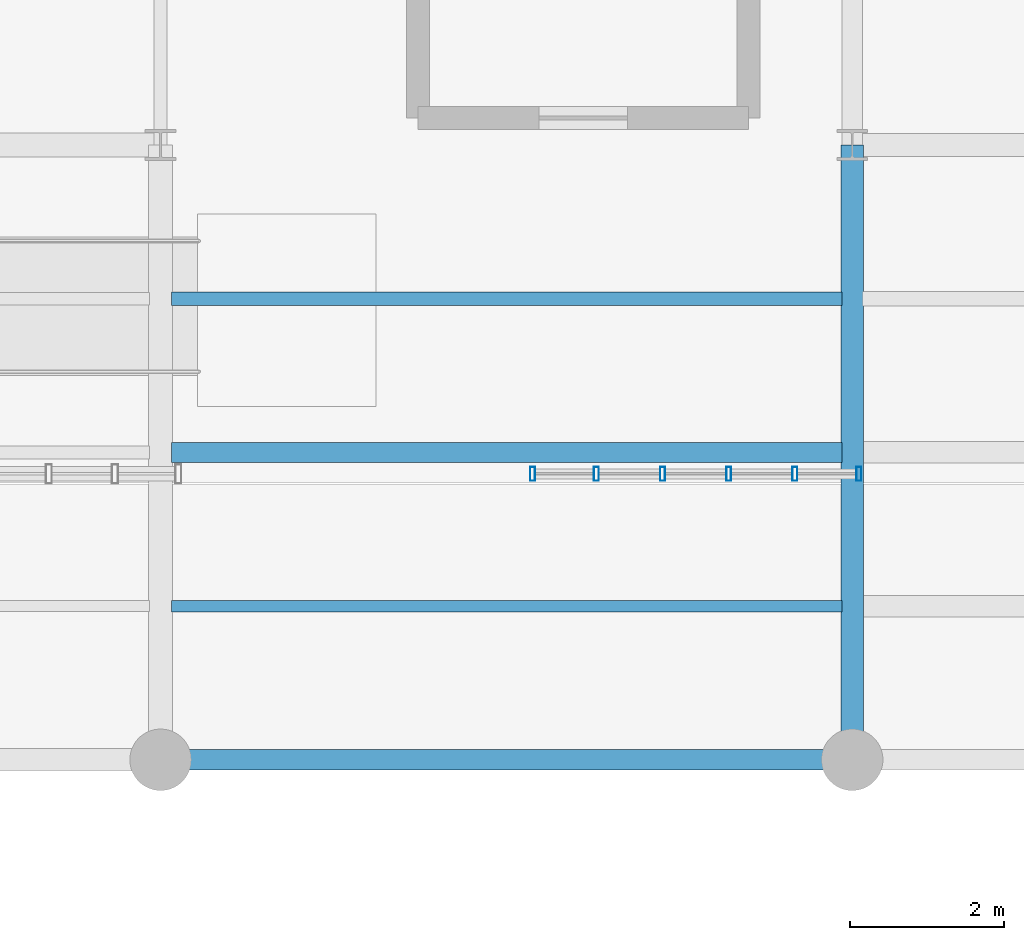
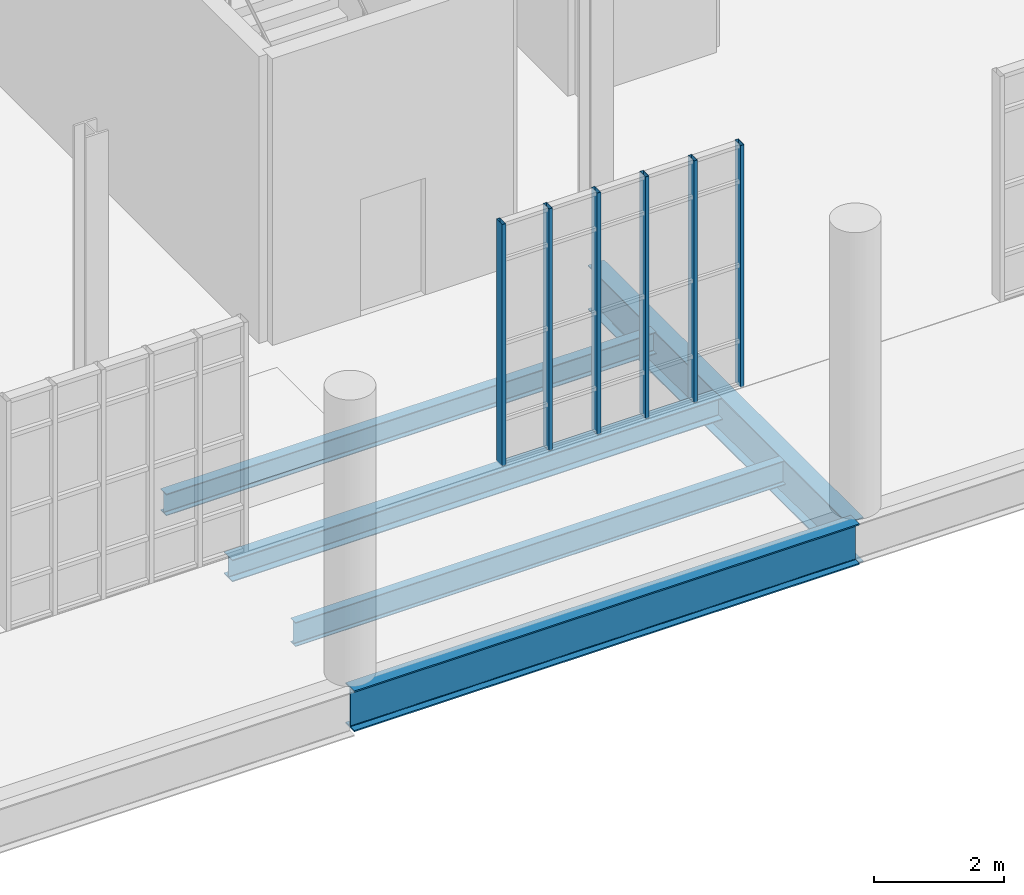
# One storey, part 51 of 189: 6 members, 5 beams, 1 element without a shape of its own.
"""IFC4 building model written with IfcOpenShell, lengths in metres."""

from ifc_helpers import new_model, si_unit, direction, frame, origin, origin_2d, place, context, subcontext, project, spatial, hollow_rectangle, i_section, extrude, material, layer, layer_set, material_profile, profile_set, type_object, element, aggregate, save


model = new_model("IFC4")

# Units and contexts
model_context = context("Model", 3, precision=1e-05, world=origin(), true_north=direction((0.0, 1.0)))
body_context = subcontext(model_context, "Body", "Model", "MODEL_VIEW")
ifc_project = project(units=[si_unit("LENGTHUNIT", "METRE"), si_unit("AREAUNIT", "SQUARE_METRE"), si_unit("VOLUMEUNIT", "CUBIC_METRE"), si_unit("PLANEANGLEUNIT", "RADIAN"), si_unit("MASSUNIT", "GRAM", prefix="KILO"), si_unit("THERMODYNAMICTEMPERATUREUNIT", "KELVIN"), si_unit("POWERUNIT", "WATT")], contexts=[model_context])

# Site, building, storey
site_placement = place(None, origin())
site = spatial("IfcSite", under=ifc_project, at=site_placement, CompositionType="ELEMENT")
building_placement = place(site_placement, origin())
building = spatial("IfcBuilding", under=site, at=building_placement, Name="Zelmaris Science Centre", CompositionType="ELEMENT")
storey_placement = place(building_placement, origin())
storey = spatial("IfcBuildingStorey", under=building, at=storey_placement, Name="L00", CompositionType="ELEMENT", Elevation=0.0)

# Curtain wall, members
ifc_material_1 = material(Name="Anodised architectural aluminium 6063-T6", Category="aluminium")
ifc_layer = layer(ifc_material_1, 0.2099609375, Name="Anodised architectural aluminium 6063-T6")
ifc_layer_set = layer_set([ifc_layer], Name="Anodised architectural aluminium 6063-T6")
curtain_wall_type = type_object("IfcCurtainWallType", Name="Curtain Wall CW-03", PredefinedType="USERDEFINED", material=ifc_layer_set)
curtain_wall_placement = place(storey_placement, origin())
curtain_wall = element("IfcCurtainWall", 1, at=curtain_wall_placement, inside=storey, type_object=curtain_wall_type, Name="L00 Unitised curtain wall 107", ObjectType="GLAZED CURTAIN WALL", PredefinedType="USERDEFINED")
ifc_material_profile_1 = material_profile(ifc_material_1, hollow_rectangle(XDim=0.06494140625, YDim=0.179931640625, WallThickness=0.00390625, at=origin_2d()), Name="ALU-MUL-65X180")
ifc_profile_set_1 = profile_set([ifc_material_profile_1], Name="Anodised architectural aluminium 6063-T6")
member_type = type_object("IfcMemberType", Name="ALU-MUL-65X180", PredefinedType="MULLION", material=ifc_profile_set_1)
member_1_placement = place(storey_placement, frame((126.08642578125, 11.72021484375, -0.014892578125), z_axis=(0.0, 0.0, 1.0), x_axis=(-1.0, 0.0, 0.0)))
member_1 = element("IfcMember", 2, at=member_1_placement, type_object=member_type, Name="CW-03 mullion 1", PredefinedType="MULLION", context=body_context, shape_type="SweptSolid", body=[
    extrude(hollow_rectangle(XDim=0.06494140625, YDim=0.179931640625, WallThickness=0.00390625, at=origin_2d()), origin(), (0.0, 0.0, 1.0), 4.553955078125),
])
member_2_placement = place(storey_placement, frame((125.254150390625, 11.72021484375, -0.014892578125), z_axis=(0.0, 0.0, 1.0), x_axis=(-1.0, 0.0, 0.0)))
member_2 = element("IfcMember", 3, at=member_2_placement, type_object=member_type, Name="CW-03 mullion 2", PredefinedType="MULLION", context=body_context, shape_type="SweptSolid", body=[
    extrude(hollow_rectangle(XDim=0.06494140625, YDim=0.179931640625, WallThickness=0.00390625, at=origin_2d()), origin(), (0.0, 0.0, 1.0), 4.553955078125),
])
member_3_placement = place(storey_placement, frame((124.3935546875, 11.72021484375, -0.014892578125), z_axis=(0.0, 0.0, 1.0), x_axis=(-1.0, 0.0, 0.0)))
member_3 = element("IfcMember", 4, at=member_3_placement, type_object=member_type, Name="CW-03 mullion 3", PredefinedType="MULLION", context=body_context, shape_type="SweptSolid", body=[
    extrude(hollow_rectangle(XDim=0.06494140625, YDim=0.179931640625, WallThickness=0.00390625, at=origin_2d()), origin(), (0.0, 0.0, 1.0), 4.553955078125),
])
member_4_placement = place(storey_placement, frame((123.53271484375, 11.72021484375, -0.014892578125), z_axis=(0.0, 0.0, 1.0), x_axis=(-1.0, 0.0, 0.0)))
member_4 = element("IfcMember", 5, at=member_4_placement, type_object=member_type, Name="CW-03 mullion 4", PredefinedType="MULLION", context=body_context, shape_type="SweptSolid", body=[
    extrude(hollow_rectangle(XDim=0.06494140625, YDim=0.179931640625, WallThickness=0.00390625, at=origin_2d()), origin(), (0.0, 0.0, 1.0), 4.553955078125),
])
member_5_placement = place(storey_placement, frame((122.672119140625, 11.72021484375, -0.014892578125), z_axis=(0.0, 0.0, 1.0), x_axis=(-1.0, 0.0, 0.0)))
member_5 = element("IfcMember", 6, at=member_5_placement, type_object=member_type, Name="CW-03 mullion 5", PredefinedType="MULLION", context=body_context, shape_type="SweptSolid", body=[
    extrude(hollow_rectangle(XDim=0.06494140625, YDim=0.179931640625, WallThickness=0.00390625, at=origin_2d()), origin(), (0.0, 0.0, 1.0), 4.553955078125),
])
member_6_placement = place(storey_placement, frame((121.83984375, 11.72021484375, -0.014892578125), z_axis=(0.0, 0.0, 1.0), x_axis=(-1.0, 0.0, 0.0)))
member_6 = element("IfcMember", 7, at=member_6_placement, type_object=member_type, Name="CW-03 mullion 6", PredefinedType="MULLION", context=body_context, shape_type="SweptSolid", body=[
    extrude(hollow_rectangle(XDim=0.06494140625, YDim=0.179931640625, WallThickness=0.00390625, at=origin_2d()), origin(), (0.0, 0.0, 1.0), 4.553955078125),
])
aggregate(curtain_wall, [member_1, member_2, member_3, member_4, member_5, member_6])

# Beams
ifc_material_2 = material(Name="Steel ASTM A992 Grade 50", Category="steel")
ifc_material_profile_2 = material_profile(ifc_material_2, i_section(OverallWidth=0.2919921875, OverallDepth=0.841064453125, WebThickness=0.0146484375, FlangeThickness=0.021728515625, FilletRadius=0.02001953125, at=origin_2d()), Name="W33X130")
ifc_profile_set_2 = profile_set([ifc_material_profile_2], Name="Steel ASTM A992 Grade 50")
beam_type_1 = type_object("IfcBeamType", Name="Beam G-07 W33X130", PredefinedType="BEAM", material=ifc_profile_set_2)
beam_1_placement = place(storey_placement, frame((126.0, 8.0, -0.71044921875), z_axis=(0.0, 1.0, 0.0), x_axis=(-1.0, 0.0, 0.0)))
element("IfcBeam", 8, at=beam_1_placement, inside=storey, type_object=beam_type_1, Name="L00 North-south girder 65", PredefinedType="BEAM", context=body_context, shape_type="SweptSolid", body=[
    extrude(i_section(OverallWidth=0.2919921875, OverallDepth=0.841064453125, WebThickness=0.0146484375, FlangeThickness=0.021728515625, FilletRadius=0.02001953125, at=origin_2d()), origin(), (0.0, 0.0, 1.0), 8.0),
])
ifc_material_profile_3 = material_profile(ifc_material_2, i_section(OverallWidth=0.26708984375, OverallDepth=0.77001953125, WebThickness=0.015625, FlangeThickness=0.025390625, FilletRadius=0.01904296875, at=origin_2d()), Name="W30X132")
ifc_profile_set_3 = profile_set([ifc_material_profile_3], Name="Steel ASTM A992 Grade 50")
beam_type_2 = type_object("IfcBeamType", Name="Beam G-09 W30X132", PredefinedType="BEAM", material=ifc_profile_set_3)
beam_2_placement = place(storey_placement, frame((117.0, 8.0, -0.6650390625), z_axis=(1.0, 0.0, 0.0), x_axis=(0.0, 1.0, 0.0)))
element("IfcBeam", 9, at=beam_2_placement, inside=storey, type_object=beam_type_2, Name="L00 East-west girder 97", PredefinedType="BEAM", context=body_context, shape_type="SweptSolid", body=[
    extrude(i_section(OverallWidth=0.26708984375, OverallDepth=0.77001953125, WebThickness=0.015625, FlangeThickness=0.025390625, FilletRadius=0.01904296875, at=origin_2d()), origin(), (0.0, 0.0, 1.0), 9.0),
])
ifc_material_profile_4 = material_profile(ifc_material_2, i_section(OverallWidth=0.152099609375, OverallDepth=0.455078125, WebThickness=0.008056640625, FlangeThickness=0.01318359375, FilletRadius=0.012939453125, at=origin_2d()), Name="W18X40")
ifc_profile_set_4 = profile_set([ifc_material_profile_4], Name="Steel ASTM A992 Grade 50")
beam_type_3 = type_object("IfcBeamType", Name="Beam J-05 W18X40", PredefinedType="JOIST", material=ifc_profile_set_4)
beam_3_placement = place(storey_placement, frame((117.14111328125, 10.0, -0.517578125), z_axis=(1.0, 0.0, 0.0), x_axis=(0.0, 1.0, 0.0)))
element("IfcBeam", 10, at=beam_3_placement, inside=storey, type_object=beam_type_3, Name="L00 Composite floor joist 76", PredefinedType="JOIST", context=body_context, shape_type="SweptSolid", body=[
    extrude(i_section(OverallWidth=0.152099609375, OverallDepth=0.455078125, WebThickness=0.008056640625, FlangeThickness=0.01318359375, FilletRadius=0.012939453125, at=origin_2d()), origin(), (0.0, 0.0, 1.0), 8.727783203125),
])
ifc_material_profile_5 = material_profile(ifc_material_2, i_section(OverallWidth=0.260009765625, OverallDepth=0.4140625, WebThickness=0.010009765625, FlangeThickness=0.016845703125, FilletRadius=0.011962890625, at=origin_2d()), Name="W16X67")
ifc_profile_set_5 = profile_set([ifc_material_profile_5], Name="Steel ASTM A992 Grade 50")
beam_type_4 = type_object("IfcBeamType", Name="Beam J-06 W16X67", PredefinedType="JOIST", material=ifc_profile_set_5)
beam_4_placement = place(storey_placement, frame((117.14111328125, 12.0, -0.4970703125), z_axis=(1.0, 0.0, 0.0), x_axis=(0.0, 1.0, 0.0)))
element("IfcBeam", 11, at=beam_4_placement, inside=storey, type_object=beam_type_4, Name="L00 Composite floor joist 77", PredefinedType="JOIST", context=body_context, shape_type="SweptSolid", body=[
    extrude(i_section(OverallWidth=0.260009765625, OverallDepth=0.4140625, WebThickness=0.010009765625, FlangeThickness=0.016845703125, FilletRadius=0.011962890625, at=origin_2d()), origin(), (0.0, 0.0, 1.0), 8.727783203125),
])
ifc_material_profile_6 = material_profile(ifc_material_2, i_section(OverallWidth=0.177978515625, OverallDepth=0.408935546875, WebThickness=0.0087890625, FlangeThickness=0.014404296875, FilletRadius=0.011962890625, at=origin_2d()), Name="W16X45")
ifc_profile_set_6 = profile_set([ifc_material_profile_6], Name="Steel ASTM A992 Grade 50")
beam_type_5 = type_object("IfcBeamType", Name="Beam J-07 W16X45", PredefinedType="JOIST", material=ifc_profile_set_6)
beam_5_placement = place(storey_placement, frame((117.14111328125, 14.0, -0.494384765625), z_axis=(1.0, 0.0, 0.0), x_axis=(0.0, 1.0, 0.0)))
element("IfcBeam", 12, at=beam_5_placement, inside=storey, type_object=beam_type_5, Name="L00 Composite floor joist 78", PredefinedType="JOIST", context=body_context, shape_type="SweptSolid", body=[
    extrude(i_section(OverallWidth=0.177978515625, OverallDepth=0.408935546875, WebThickness=0.0087890625, FlangeThickness=0.014404296875, FilletRadius=0.011962890625, at=origin_2d()), origin(), (0.0, 0.0, 1.0), 8.727783203125),
])

save(model, "model.ifc")
